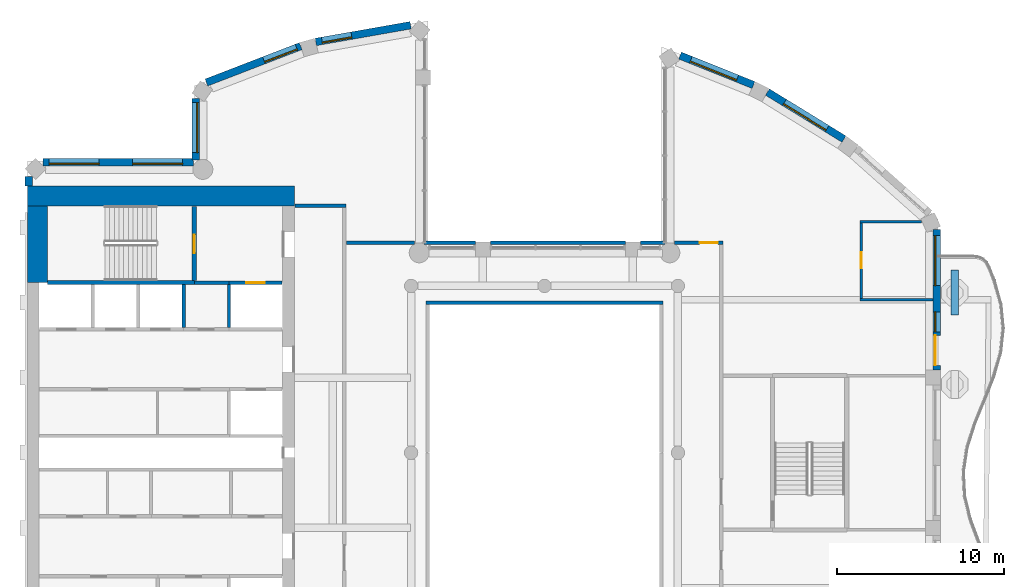
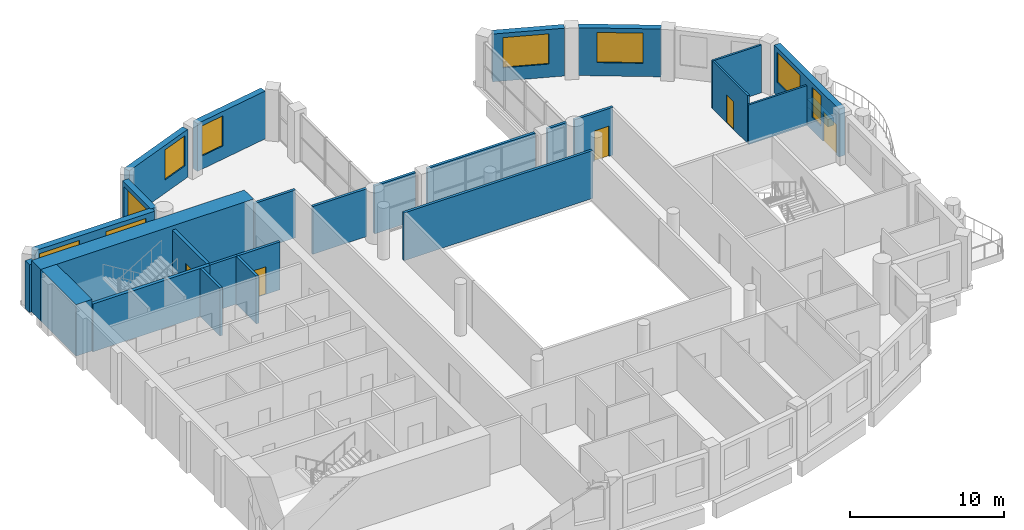
# One storey, part 7 of 15: 27 walls, 9 windows, 5 doors, 14 openings.
"""IFC4 building model written with IfcOpenShell, lengths in metres."""

from ifc_helpers import new_model, si_unit, direction, frame, frame_2d, origin, place, context, subcontext, project, spatial, rectangle, extrude, material, layer, layer_set, type_object, element, fill, save


model = new_model("IFC4")

# Units and contexts
model_context = context("Model", 3, precision=1e-05, world=origin(), true_north=direction((0.0, 1.0)))
body_context = subcontext(model_context, "Body", "Model", "MODEL_VIEW")
ifc_project = project(units=[si_unit("LENGTHUNIT", "METRE"), si_unit("AREAUNIT", "SQUARE_METRE"), si_unit("VOLUMEUNIT", "CUBIC_METRE"), si_unit("PLANEANGLEUNIT", "RADIAN"), si_unit("MASSUNIT", "GRAM", prefix="KILO")], contexts=[model_context])

# Site, building, storey
site_placement = place(None, origin())
site = spatial("IfcSite", under=ifc_project, at=site_placement, CompositionType="ELEMENT")
building_placement = place(site_placement, origin())
building = spatial("IfcBuilding", under=site, at=building_placement, Name="Cypress Arch Tower", CompositionType="ELEMENT")
storey_placement = place(building_placement, frame((0.0, 0.0, 321.300048828125)))
storey = spatial("IfcBuildingStorey", under=building, at=storey_placement, Name="L73", CompositionType="ELEMENT", Elevation=321.300048828125)

# Wall
ifc_material_1 = material(Name="Concrete C40/50, waterproofed", Category="concrete")
ifc_layer_1 = layer(ifc_material_1, 0.449951171875)
ifc_layer_set_1 = layer_set([ifc_layer_1], Name="Balcony planter wall PW450")
wall_type_1 = type_object("IfcWallType", Name="Balcony planter wall PW450", PredefinedType="SOLIDWALL", material=ifc_layer_set_1)
wall_1_placement = place(storey_placement, frame((25.60009765625, 8.25, 0.0), z_axis=(0.0, 0.0, 1.0), x_axis=(0.0, 1.0, 0.0)))
element("IfcWall", 1, at=wall_1_placement, inside=storey, type_object=wall_type_1, Name="Balcony planter wall L73-C17.3", PredefinedType="SOLIDWALL", context=body_context, shape_type="SweptSolid", body=[
    extrude(rectangle(XDim=2.699951171875, YDim=0.449951171875, at=frame_2d((1.35009765625, 0.0))), origin(), (0.0, 0.0, 1.0), 0.599853515625),
])

# Wall, opening, window
ifc_material_2 = material(Name="Brick (red buff blend)", Category="masonry")
ifc_layer_2 = layer(ifc_material_2, 0.449951171875)
ifc_layer_set_2 = layer_set([ifc_layer_2], Name="Brick pier and spandrel wall BW450")
wall_type_2 = type_object("IfcWallType", Name="Brick pier and spandrel wall BW450", PredefinedType="SOLIDWALL", material=ifc_layer_set_2)
wall_2_placement = place(storey_placement, frame((-7.028564453125, 25.63232421875, 0.0), z_axis=(0.0, 0.0, 1.0), x_axis=(-0.984797606634, -0.173705710808, 0.0)))
wall_2 = element("IfcWall", 2, at=wall_2_placement, inside=storey, type_object=wall_type_2, Name="Brick wall L73 C03.0", PredefinedType="SOLIDWALL", context=body_context, shape_type="SweptSolid", body=[
    extrude(rectangle(XDim=5.772216796875, YDim=0.449951171875, at=frame_2d((2.88623046875, 0.0))), origin(), (0.0, 0.0, 1.0), 3.800048828125),
])
opening_1_placement = place(wall_2_placement, frame((3.59326171875, 0.0, 1.050048828125)))
opening_1 = element("IfcOpeningElement", 3, at=opening_1_placement, cuts=wall_2, Name="Opening W180O", PredefinedType="OPENING", context=body_context, shape_type="SweptSolid", body=[
    extrude(rectangle(XDim=1.800048828125, YDim=2.39990234375, at=frame_2d((0.89990234375, 1.199951171875))), frame((0.0, 0.23486328125, 0.0), z_axis=(0.0, -1.0, 0.0), x_axis=(1.0, 0.0, 0.0)), (0.0, 0.0, 1.0), 0.469970703125),
])
ifc_material_3 = material(Name="Anodised aluminium, bronze finish, clear low-emissivity double glazing", Category="aluminium")
window_type_1 = type_object("IfcWindowType", Name="Window Office 1800x2400", PartitioningType="SINGLE_PANEL", PredefinedType="WINDOW", material=ifc_material_3)
window_1_placement = place(opening_1_placement, origin())
window_1 = element("IfcWindow", 4, at=window_1_placement, inside=storey, type_object=window_type_1, Name="Window L73 C03.0.2", OverallHeight=2.39990234375, OverallWidth=1.800048828125, PartitioningType="SINGLE_PANEL", PredefinedType="WINDOW", context=body_context, shape_type="SweptSolid", body=[
    extrude(rectangle(XDim=1.800048828125, YDim=2.39990234375, at=frame_2d((0.89990234375, 1.199951171875))), frame((0.0, 0.135009765625, 0.0), z_axis=(0.0, -1.0, 0.0), x_axis=(1.0, 0.0, 0.0)), (0.0, 0.0, 1.0), 0.06005859375),
])
fill(opening_1, window_1)

wall_3_placement = place(storey_placement, frame((-13.6220703125, 24.376953125, 0.0), z_axis=(0.0, 0.0, 1.0), x_axis=(-0.933129259679, -0.359541075164, 0.0)))
wall_3 = element("IfcWall", 5, at=wall_3_placement, inside=storey, type_object=wall_type_2, Name="Brick wall L73 C04.0", PredefinedType="SOLIDWALL", context=body_context, shape_type="SweptSolid", body=[
    extrude(rectangle(XDim=6.05419921875, YDim=0.449951171875, at=frame_2d((3.027099609375, 0.0))), origin(), (0.0, 0.0, 1.0), 3.800048828125),
])
opening_2_placement = place(wall_3_placement, frame((0.260986328125, 0.0, 1.050048828125)))
opening_2 = element("IfcOpeningElement", 6, at=opening_2_placement, cuts=wall_3, Name="Opening W210O", PredefinedType="OPENING", context=body_context, shape_type="SweptSolid", body=[
    extrude(rectangle(XDim=2.10009765625, YDim=2.39990234375, at=frame_2d((1.050048828125, 1.199951171875))), frame((0.0, 0.23486328125, 0.0), z_axis=(0.0, -1.0, 0.0), x_axis=(1.0, 0.0, 0.0)), (0.0, 0.0, 1.0), 0.469970703125),
])
ifc_material_4 = material(Name="Anodised aluminium, bronze finish, clear low-emissivity double glazing", Category="aluminium")
window_type_2 = type_object("IfcWindowType", Name="Window Office 2100x2400", PartitioningType="SINGLE_PANEL", PredefinedType="WINDOW", material=ifc_material_4)
window_2_placement = place(opening_2_placement, origin())
window_2 = element("IfcWindow", 7, at=window_2_placement, inside=storey, type_object=window_type_2, Name="Window L73 C04.0.1", OverallHeight=2.39990234375, OverallWidth=2.10009765625, PartitioningType="SINGLE_PANEL", PredefinedType="WINDOW", context=body_context, shape_type="SweptSolid", body=[
    extrude(rectangle(XDim=2.10009765625, YDim=2.39990234375, at=frame_2d((1.050048828125, 1.199951171875))), frame((0.0, 0.135009765625, 0.0), z_axis=(0.0, -1.0, 0.0), x_axis=(1.0, 0.0, 0.0)), (0.0, 0.0, 1.0), 0.06005859375),
])
fill(opening_2, window_2)

wall_4_placement = place(storey_placement, frame((-19.925048828125, 21.248291015625, 0.0), z_axis=(0.0, 0.0, 1.0), x_axis=(0.0, -1.0, 0.0)))
wall_4 = element("IfcWall", 8, at=wall_4_placement, inside=storey, type_object=wall_type_2, Name="Brick wall L73 C05.0", PredefinedType="SOLIDWALL", context=body_context, shape_type="SweptSolid", body=[
    extrude(rectangle(XDim=3.699951171875, YDim=0.449951171875, at=frame_2d((1.85009765625, 0.0))), origin(), (0.0, 0.0, 1.0), 3.800048828125),
])
opening_3_placement = place(wall_4_placement, frame((0.251220703125, 0.0, 1.050048828125)))
opening_3 = element("IfcOpeningElement", 9, at=opening_3_placement, cuts=wall_4, Name="Opening W300O", PredefinedType="OPENING", context=body_context, shape_type="SweptSolid", body=[
    extrude(rectangle(XDim=3.0, YDim=2.39990234375, at=frame_2d((1.5, 1.199951171875))), frame((0.0, 0.23486328125, 0.0), z_axis=(0.0, -1.0, 0.0), x_axis=(1.0, 0.0, 0.0)), (0.0, 0.0, 1.0), 0.469970703125),
])
ifc_material_5 = material(Name="Anodised aluminium, bronze finish, clear low-emissivity double glazing", Category="aluminium")
window_type_3 = type_object("IfcWindowType", Name="Window Office 3000x2400", PartitioningType="SINGLE_PANEL", PredefinedType="WINDOW", material=ifc_material_5)
window_3_placement = place(opening_3_placement, origin())
window_3 = element("IfcWindow", 10, at=window_3_placement, inside=storey, type_object=window_type_3, Name="Window L73 C05.0.1", OverallHeight=2.39990234375, OverallWidth=3.0, PartitioningType="SINGLE_PANEL", PredefinedType="WINDOW", context=body_context, shape_type="SweptSolid", body=[
    extrude(rectangle(XDim=3.0, YDim=2.39990234375, at=frame_2d((1.5, 1.199951171875))), frame((0.0, 0.135009765625, 0.0), z_axis=(0.0, -1.0, 0.0), x_axis=(1.0, 0.0, 0.0)), (0.0, 0.0, 1.0), 0.06005859375),
])
fill(opening_3, window_3)

# Wall, openings, windows
wall_5_placement = place(storey_placement, frame((-20.04833984375, 17.425048828125, 0.0), z_axis=(0.0, 0.0, 1.0), x_axis=(-1.0, 0.0, 0.0)))
wall_5 = element("IfcWall", 11, at=wall_5_placement, inside=storey, type_object=wall_type_2, Name="Brick wall L73 C06.0", PredefinedType="SOLIDWALL", context=body_context, shape_type="SweptSolid", body=[
    extrude(rectangle(XDim=9.015380859375, YDim=0.449951171875, at=frame_2d((4.5078125, 0.0))), origin(), (0.0, 0.0, 1.0), 3.800048828125),
])
opening_4_placement = place(wall_5_placement, frame((0.651611328125, 0.0, 1.050048828125)))
opening_4 = element("IfcOpeningElement", 12, at=opening_4_placement, cuts=wall_5, Name="Opening W300O", PredefinedType="OPENING", context=body_context, shape_type="SweptSolid", body=[
    extrude(rectangle(XDim=3.0, YDim=2.39990234375, at=frame_2d((1.5, 1.199951171875))), frame((0.0, 0.23486328125, 0.0), z_axis=(0.0, -1.0, 0.0), x_axis=(1.0, 0.0, 0.0)), (0.0, 0.0, 1.0), 0.469970703125),
])
opening_5_placement = place(wall_5_placement, frame((5.651611328125, 0.0, 1.050048828125)))
opening_5 = element("IfcOpeningElement", 13, at=opening_5_placement, cuts=wall_5, Name="Opening W300O", PredefinedType="OPENING", context=body_context, shape_type="SweptSolid", body=[
    extrude(rectangle(XDim=3.0, YDim=2.39990234375, at=frame_2d((1.5, 1.199951171875))), frame((0.0, 0.23486328125, 0.0), z_axis=(0.0, -1.0, 0.0), x_axis=(1.0, 0.0, 0.0)), (0.0, 0.0, 1.0), 0.469970703125),
])
window_4_placement = place(opening_4_placement, origin())
window_4 = element("IfcWindow", 14, at=window_4_placement, inside=storey, type_object=window_type_3, Name="Window L73 C06.0.1", OverallHeight=2.39990234375, OverallWidth=3.0, PartitioningType="SINGLE_PANEL", PredefinedType="WINDOW", context=body_context, shape_type="SweptSolid", body=[
    extrude(rectangle(XDim=3.0, YDim=2.39990234375, at=frame_2d((1.5, 1.199951171875))), frame((0.0, 0.135009765625, 0.0), z_axis=(0.0, -1.0, 0.0), x_axis=(1.0, 0.0, 0.0)), (0.0, 0.0, 1.0), 0.06005859375),
])
fill(opening_4, window_4)
window_5_placement = place(opening_5_placement, origin())
window_5 = element("IfcWindow", 15, at=window_5_placement, inside=storey, type_object=window_type_3, Name="Window L73 C06.0.2", OverallHeight=2.39990234375, OverallWidth=3.0, PartitioningType="SINGLE_PANEL", PredefinedType="WINDOW", context=body_context, shape_type="SweptSolid", body=[
    extrude(rectangle(XDim=3.0, YDim=2.39990234375, at=frame_2d((1.5, 1.199951171875))), frame((0.0, 0.135009765625, 0.0), z_axis=(0.0, -1.0, 0.0), x_axis=(1.0, 0.0, 0.0)), (0.0, 0.0, 1.0), 0.06005859375),
])
fill(opening_5, window_5)

# Wall
wall_6_placement = place(storey_placement, frame((-29.925048828125, 16.563720703125, 0.0), z_axis=(0.0, 0.0, 1.0), x_axis=(0.0, -1.0, 0.0)))
element("IfcWall", 16, at=wall_6_placement, inside=storey, type_object=wall_type_2, Name="Brick wall L73 C07.0", PredefinedType="SOLIDWALL", context=body_context, shape_type="SweptSolid", body=[
    extrude(rectangle(XDim=0.563720703125, YDim=0.449951171875, at=frame_2d((0.28173828125, 0.0))), origin(), (0.0, 0.0, 1.0), 3.800048828125),
])

# Wall, openings, door, windows
wall_7_placement = place(storey_placement, frame((24.52490234375, 4.949951171875, 0.0), z_axis=(0.0, 0.0, 1.0), x_axis=(0.0, 1.0, 0.0)))
wall_7 = element("IfcWall", 17, at=wall_7_placement, inside=storey, type_object=wall_type_2, Name="Brick wall L73 C17.2", PredefinedType="SOLIDWALL", context=body_context, shape_type="SweptSolid", body=[
    extrude(rectangle(XDim=8.421875, YDim=0.449951171875, at=frame_2d((4.2109375, 0.0))), origin(), (0.0, 0.0, 1.0), 3.800048828125),
])
opening_6_placement = place(wall_7_placement, frame((0.291259765625, 0.0, 0.0)))
opening_6 = element("IfcOpeningElement", 18, at=opening_6_placement, cuts=wall_7, Name="Opening D-L73-C17.2.1", PredefinedType="OPENING", context=body_context, shape_type="SweptSolid", body=[
    extrude(rectangle(XDim=1.800048828125, YDim=2.39990234375, at=frame_2d((0.89990234375, 1.199951171875))), frame((0.0, 0.23486328125, 0.0), z_axis=(0.0, -1.0, 0.0), x_axis=(1.0, 0.0, 0.0)), (0.0, 0.0, 1.0), 0.469970703125),
])
opening_7_placement = place(wall_7_placement, frame((2.291259765625, 0.0, 1.050048828125)))
opening_7 = element("IfcOpeningElement", 19, at=opening_7_placement, cuts=wall_7, Name="Opening W120OD", PredefinedType="OPENING", context=body_context, shape_type="SweptSolid", body=[
    extrude(rectangle(XDim=1.199951171875, YDim=2.39990234375, at=frame_2d((0.60009765625, 1.199951171875))), frame((0.0, 0.23486328125, 0.0), z_axis=(0.0, -1.0, 0.0), x_axis=(1.0, 0.0, 0.0)), (0.0, 0.0, 1.0), 0.469970703125),
])
opening_8_placement = place(wall_7_placement, frame((5.073974609375, 0.0, 1.050048828125)))
opening_8 = element("IfcOpeningElement", 20, at=opening_8_placement, cuts=wall_7, Name="Opening W300OD", PredefinedType="OPENING", context=body_context, shape_type="SweptSolid", body=[
    extrude(rectangle(XDim=3.0, YDim=2.39990234375, at=frame_2d((1.5, 1.199951171875))), frame((0.0, 0.23486328125, 0.0), z_axis=(0.0, -1.0, 0.0), x_axis=(1.0, 0.0, 0.0)), (0.0, 0.0, 1.0), 0.469970703125),
])
ifc_material_6 = material(Name="Anodised aluminium, bronze finish, laminated low-emissivity double glazing, large-missile impact rated", Category="aluminium")
door_type_1 = type_object("IfcDoorType", Name="Balcony sliding door 1800x2400", OperationType="SLIDING_TO_LEFT", PredefinedType="DOOR", material=ifc_material_6)
door_1_placement = place(opening_6_placement, origin())
door_1 = element("IfcDoor", 21, at=door_1_placement, inside=storey, type_object=door_type_1, Name="Balcony door L73 C17.2.1", OperationType="SLIDING_TO_LEFT", OverallHeight=2.39990234375, OverallWidth=1.800048828125, PredefinedType="DOOR", context=body_context, shape_type="SweptSolid", body=[
    extrude(rectangle(XDim=1.800048828125, YDim=2.39990234375, at=frame_2d((0.89990234375, 1.199951171875))), frame((0.0, 0.1298828125, 0.0), z_axis=(0.0, -1.0, 0.0), x_axis=(1.0, 0.0, 0.0)), (0.0, 0.0, 1.0), 0.050048828125),
])
fill(opening_6, door_1)
ifc_material_7 = material(Name="Anodised aluminium, bronze finish, laminated low-emissivity double glazing, large-missile impact rated", Category="aluminium")
window_type_4 = type_object("IfcWindowType", Name="Window Office 1200x2400 debris-rated", PartitioningType="SINGLE_PANEL", PredefinedType="WINDOW", material=ifc_material_7)
window_6_placement = place(opening_7_placement, origin())
window_6 = element("IfcWindow", 22, at=window_6_placement, inside=storey, type_object=window_type_4, Name="Window L73 C17.2.1", OverallHeight=2.39990234375, OverallWidth=1.199951171875, PartitioningType="SINGLE_PANEL", PredefinedType="WINDOW", context=body_context, shape_type="SweptSolid", body=[
    extrude(rectangle(XDim=1.199951171875, YDim=2.39990234375, at=frame_2d((0.60009765625, 1.199951171875))), frame((0.0, 0.135009765625, 0.0), z_axis=(0.0, -1.0, 0.0), x_axis=(1.0, 0.0, 0.0)), (0.0, 0.0, 1.0), 0.06005859375),
])
fill(opening_7, window_6)
ifc_material_8 = material(Name="Anodised aluminium, bronze finish, laminated low-emissivity double glazing, large-missile impact rated", Category="aluminium")
window_type_5 = type_object("IfcWindowType", Name="Window Office 3000x2400 debris-rated", PartitioningType="SINGLE_PANEL", PredefinedType="WINDOW", material=ifc_material_8)
window_7_placement = place(opening_8_placement, origin())
window_7 = element("IfcWindow", 23, at=window_7_placement, inside=storey, type_object=window_type_5, Name="Window L73 C17.2.2", OverallHeight=2.39990234375, OverallWidth=3.0, PartitioningType="SINGLE_PANEL", PredefinedType="WINDOW", context=body_context, shape_type="SweptSolid", body=[
    extrude(rectangle(XDim=3.0, YDim=2.39990234375, at=frame_2d((1.5, 1.199951171875))), frame((0.0, 0.135009765625, 0.0), z_axis=(0.0, -1.0, 0.0), x_axis=(1.0, 0.0, 0.0)), (0.0, 0.0, 1.0), 0.06005859375),
])
fill(opening_8, window_7)

# Wall, opening, window
wall_8_placement = place(storey_placement, frame((18.953369140625, 18.806396484375, 0.0), z_axis=(0.0, 0.0, 1.0), x_axis=(-0.851860664503, 0.523768468193, 0.0)))
wall_8 = element("IfcWall", 24, at=wall_8_placement, inside=storey, type_object=wall_type_2, Name="Brick wall L73 C19.0", PredefinedType="SOLIDWALL", context=body_context, shape_type="SweptSolid", body=[
    extrude(rectangle(XDim=5.3837890625, YDim=0.449951171875, at=frame_2d((2.69189453125, 0.0))), origin(), (0.0, 0.0, 1.0), 3.800048828125),
])
opening_9_placement = place(wall_8_placement, frame((1.19189453125, 0.0, 1.050048828125)))
opening_9 = element("IfcOpeningElement", 25, at=opening_9_placement, cuts=wall_8, Name="Opening W300O", PredefinedType="OPENING", context=body_context, shape_type="SweptSolid", body=[
    extrude(rectangle(XDim=3.0, YDim=2.39990234375, at=frame_2d((1.5, 1.199951171875))), frame((0.0, 0.23486328125, 0.0), z_axis=(0.0, -1.0, 0.0), x_axis=(1.0, 0.0, 0.0)), (0.0, 0.0, 1.0), 0.469970703125),
])
window_8_placement = place(opening_9_placement, origin())
window_8 = element("IfcWindow", 26, at=window_8_placement, inside=storey, type_object=window_type_3, Name="Window L73 C19.0.1", OverallHeight=2.39990234375, OverallWidth=3.0, PartitioningType="SINGLE_PANEL", PredefinedType="WINDOW", context=body_context, shape_type="SweptSolid", body=[
    extrude(rectangle(XDim=3.0, YDim=2.39990234375, at=frame_2d((1.5, 1.199951171875))), frame((0.0, 0.135009765625, 0.0), z_axis=(0.0, -1.0, 0.0), x_axis=(1.0, 0.0, 0.0)), (0.0, 0.0, 1.0), 0.06005859375),
])
fill(opening_9, window_8)

wall_9_placement = place(storey_placement, frame((13.529296875, 22.04833984375, 0.0), z_axis=(0.0, 0.0, 1.0), x_axis=(-0.927957332619, 0.372686448424, 0.0)))
wall_9 = element("IfcWall", 27, at=wall_9_placement, inside=storey, type_object=wall_type_2, Name="Brick wall L73 C20.0", PredefinedType="SOLIDWALL", context=body_context, shape_type="SweptSolid", body=[
    extrude(rectangle(XDim=4.741455078125, YDim=0.449951171875, at=frame_2d((2.37060546875, 0.0))), origin(), (0.0, 0.0, 1.0), 3.800048828125),
])
opening_10_placement = place(wall_9_placement, frame((1.046630859375, 0.0, 1.050048828125)))
opening_10 = element("IfcOpeningElement", 28, at=opening_10_placement, cuts=wall_9, Name="Opening W300O", PredefinedType="OPENING", context=body_context, shape_type="SweptSolid", body=[
    extrude(rectangle(XDim=3.0, YDim=2.39990234375, at=frame_2d((1.5, 1.199951171875))), frame((0.0, 0.23486328125, 0.0), z_axis=(0.0, -1.0, 0.0), x_axis=(1.0, 0.0, 0.0)), (0.0, 0.0, 1.0), 0.469970703125),
])
window_9_placement = place(opening_10_placement, origin())
window_9 = element("IfcWindow", 29, at=window_9_placement, inside=storey, type_object=window_type_3, Name="Window L73 C20.0.1", OverallHeight=2.39990234375, OverallWidth=3.0, PartitioningType="SINGLE_PANEL", PredefinedType="WINDOW", context=body_context, shape_type="SweptSolid", body=[
    extrude(rectangle(XDim=3.0, YDim=2.39990234375, at=frame_2d((1.5, 1.199951171875))), frame((0.0, 0.135009765625, 0.0), z_axis=(0.0, -1.0, 0.0), x_axis=(1.0, 0.0, 0.0)), (0.0, 0.0, 1.0), 0.06005859375),
])
fill(opening_10, window_9)

# Walls
ifc_material_9 = material(Name="Concrete C60/75", Category="concrete")
ifc_layer_3 = layer(ifc_material_9, 1.199951171875)
ifc_layer_set_3 = layer_set([ifc_layer_3], Name="Core wall CW1200 C60/75")
wall_type_3 = type_object("IfcWallType", Name="Core wall CW1200 C60/75", PredefinedType="SHEAR", material=ifc_layer_set_3)
wall_10_placement = place(storey_placement, frame((-30.0, 15.39990234375, 0.0), z_axis=(0.0, 0.0, 1.0), x_axis=(1.0, 0.0, 0.0)))
element("IfcWall", 30, at=wall_10_placement, inside=storey, type_object=wall_type_3, Name="Core wall", PredefinedType="SHEAR", context=body_context, shape_type="SweptSolid", body=[
    extrude(rectangle(XDim=16.0, YDim=1.199951171875, at=frame_2d((8.0, 0.0))), origin(), (0.0, 0.0, 1.0), 4.099853515625),
])
wall_11_placement = place(storey_placement, frame((-29.39990234375, 10.199951171875, 0.0), z_axis=(0.0, 0.0, 1.0), x_axis=(0.0, 1.0, 0.0)))
element("IfcWall", 31, at=wall_11_placement, inside=storey, type_object=wall_type_3, Name="Core wall", PredefinedType="SHEAR", context=body_context, shape_type="SweptSolid", body=[
    extrude(rectangle(XDim=4.60009765625, YDim=1.199951171875, at=frame_2d((2.300048828125, 0.0))), origin(), (0.0, 0.0, 1.0), 4.099853515625),
])
ifc_material_10 = material(Name="Concrete blockwork, plastered, rated", Category="masonry")
ifc_layer_4 = layer(ifc_material_10, 0.199951171875)
ifc_layer_set_4 = layer_set([ifc_layer_4], Name="Corridor wall FW200")
wall_type_4 = type_object("IfcWallType", Name="Corridor wall FW200", PredefinedType="PARTITIONING", material=ifc_layer_set_4)
wall_12_placement = place(storey_placement, frame((-20.0, 10.199951171875, 0.0), z_axis=(0.0, 0.0, 1.0), x_axis=(1.0, 0.0, 0.0)))
element("IfcWall", 32, at=wall_12_placement, inside=storey, type_object=wall_type_4, Name="Corridor wall", PredefinedType="PARTITIONING", context=body_context, shape_type="SweptSolid", body=[
    extrude(rectangle(XDim=2.080078125, YDim=0.199951171875, at=frame_2d((1.0400390625, 0.0))), origin(), (0.0, 0.0, 1.0), 3.800048828125),
])
wall_13_placement = place(storey_placement, frame((-13.969970703125, 14.800048828125, 0.0), z_axis=(0.0, 0.0, 1.0), x_axis=(1.0, 0.0, 0.0)))
element("IfcWall", 33, at=wall_13_placement, inside=storey, type_object=wall_type_4, Name="Corridor wall", PredefinedType="PARTITIONING", context=body_context, shape_type="SweptSolid", body=[
    extrude(rectangle(XDim=3.070068359375, YDim=0.199951171875, at=frame_2d((1.53515625, 0.0))), origin(), (0.0, 0.0, 1.0), 3.800048828125),
])
wall_14_placement = place(storey_placement, frame((-10.8798828125, 12.60009765625, 0.0), z_axis=(0.0, 0.0, 1.0), x_axis=(1.0, 0.0, 0.0)))
element("IfcWall", 34, at=wall_14_placement, inside=storey, type_object=wall_type_4, Name="Corridor wall", PredefinedType="PARTITIONING", context=body_context, shape_type="SweptSolid", body=[
    extrude(rectangle(XDim=4.079833984375, YDim=0.199951171875, at=frame_2d((2.0400390625, 0.0))), origin(), (0.0, 0.0, 1.0), 3.800048828125),
])
wall_15_placement = place(storey_placement, frame((-6.22998046875, 12.60009765625, 0.0), z_axis=(0.0, 0.0, 1.0), x_axis=(1.0, 0.0, 0.0)))
element("IfcWall", 35, at=wall_15_placement, inside=storey, type_object=wall_type_4, Name="Corridor wall", PredefinedType="PARTITIONING", context=body_context, shape_type="SweptSolid", body=[
    extrude(rectangle(XDim=3.080078125, YDim=0.199951171875, at=frame_2d((1.5400390625, 0.0))), origin(), (0.0, 0.0, 1.0), 3.800048828125),
])
wall_16_placement = place(storey_placement, frame((-2.25, 12.60009765625, 0.0), z_axis=(0.0, 0.0, 1.0), x_axis=(1.0, 0.0, 0.0)))
element("IfcWall", 36, at=wall_16_placement, inside=storey, type_object=wall_type_4, Name="Corridor wall", PredefinedType="PARTITIONING", context=body_context, shape_type="SweptSolid", body=[
    extrude(rectangle(XDim=8.10009765625, YDim=0.199951171875, at=frame_2d((4.050048828125, 0.0))), origin(), (0.0, 0.0, 1.0), 3.800048828125),
])
wall_17_placement = place(storey_placement, frame((6.75, 12.60009765625, 0.0), z_axis=(0.0, 0.0, 1.0), x_axis=(1.0, 0.0, 0.0)))
element("IfcWall", 37, at=wall_17_placement, inside=storey, type_object=wall_type_4, Name="Corridor wall", PredefinedType="PARTITIONING", context=body_context, shape_type="SweptSolid", body=[
    extrude(rectangle(XDim=1.47998046875, YDim=0.199951171875, at=frame_2d((0.739990234375, 0.0))), origin(), (0.0, 0.0, 1.0), 3.800048828125),
])
wall_18_placement = place(storey_placement, frame((-6.10009765625, 9.0, 0.0), z_axis=(0.0, 0.0, 1.0), x_axis=(1.0, 0.0, 0.0)))
element("IfcWall", 38, at=wall_18_placement, inside=storey, type_object=wall_type_4, Name="Corridor wall", PredefinedType="PARTITIONING", context=body_context, shape_type="SweptSolid", body=[
    extrude(rectangle(XDim=14.2001953125, YDim=0.199951171875, at=frame_2d((7.10009765625, 0.0))), origin(), (0.0, 0.0, 1.0), 3.800048828125),
])

# Wall, opening, door
wall_19_placement = place(storey_placement, frame((8.800048828125, 12.60009765625, 0.0), z_axis=(0.0, 0.0, 1.0), x_axis=(1.0, 0.0, 0.0)))
wall_19 = element("IfcWall", 39, at=wall_19_placement, inside=storey, type_object=wall_type_4, Name="Corridor wall", PredefinedType="PARTITIONING", context=body_context, shape_type="SweptSolid", body=[
    extrude(rectangle(XDim=2.89990234375, YDim=0.199951171875, at=frame_2d((1.449951171875, 0.0))), origin(), (0.0, 0.0, 1.0), 3.800048828125),
])
opening_11_placement = place(wall_19_placement, frame((1.5, 0.0, 0.0)))
opening_11 = element("IfcOpeningElement", 40, at=opening_11_placement, cuts=wall_19, Name="Opening D01", PredefinedType="OPENING", context=body_context, shape_type="SweptSolid", body=[
    extrude(rectangle(XDim=1.10009765625, YDim=2.39990234375, at=frame_2d((0.550048828125, 1.199951171875))), frame((0.0, 0.10986328125, 0.0), z_axis=(0.0, -1.0, 0.0), x_axis=(1.0, 0.0, 0.0)), (0.0, 0.0, 1.0), 0.219970703125),
])
ifc_material_11 = material(Name="Timber flush door, fire resisting, self-closing", Category="wood")
door_type_2 = type_object("IfcDoorType", Name="Unit entrance door D01 1100x2400", OperationType="SINGLE_SWING_LEFT", PredefinedType="DOOR", material=ifc_material_11)
door_2_placement = place(opening_11_placement, origin())
door_2 = element("IfcDoor", 41, at=door_2_placement, inside=storey, type_object=door_type_2, Name="Unit entrance door", OperationType="SINGLE_SWING_RIGHT", OverallHeight=2.39990234375, OverallWidth=1.10009765625, PredefinedType="DOOR", context=body_context, shape_type="SweptSolid", body=[
    extrude(rectangle(XDim=1.10009765625, YDim=2.39990234375, at=frame_2d((0.550048828125, 1.199951171875))), frame((0.0, 0.02490234375, 0.0), z_axis=(0.0, -1.0, 0.0), x_axis=(1.0, 0.0, 0.0)), (0.0, 0.0, 1.0), 0.050048828125),
])
fill(opening_11, door_2)

ifc_material_12 = material(Name="Blockwork, plastered both sides", Category="masonry")
ifc_layer_5 = layer(ifc_material_12, 0.14990234375)
ifc_layer_set_5 = layer_set([ifc_layer_5], Name="Partition PW150")
wall_type_5 = type_object("IfcWallType", Name="Partition PW150", PredefinedType="PARTITIONING", material=ifc_layer_set_5)
wall_20_placement = place(storey_placement, frame((20.0, 9.258056640625, 0.0), z_axis=(0.0, 0.0, 1.0), x_axis=(0.0, 1.0, 0.0)))
wall_20 = element("IfcWall", 42, at=wall_20_placement, inside=storey, type_object=wall_type_5, Name="Partition", PredefinedType="PARTITIONING", context=body_context, shape_type="SweptSolid", body=[
    extrude(rectangle(XDim=4.531982421875, YDim=0.14990234375, at=frame_2d((2.26611328125, 0.0))), origin(), (0.0, 0.0, 1.0), 3.800048828125),
])
opening_12_placement = place(wall_20_placement, frame((1.800048828125, 0.0, 0.0)))
opening_12 = element("IfcOpeningElement", 43, at=opening_12_placement, cuts=wall_20, Name="Opening D12", PredefinedType="OPENING", context=body_context, shape_type="SweptSolid", body=[
    extrude(rectangle(XDim=0.949951171875, YDim=2.199951171875, at=frame_2d((0.47509765625, 1.10009765625))), frame((0.0, 0.0849609375, 0.0), z_axis=(0.0, -1.0, 0.0), x_axis=(1.0, 0.0, 0.0)), (0.0, 0.0, 1.0), 0.169921875),
])
ifc_material_13 = material(Name="Timber flush door", Category="wood")
door_type_3 = type_object("IfcDoorType", Name="Room door D12 950x2200", OperationType="SINGLE_SWING_LEFT", PredefinedType="DOOR", material=ifc_material_13)
door_3_placement = place(opening_12_placement, origin())
door_3 = element("IfcDoor", 44, at=door_3_placement, inside=storey, type_object=door_type_3, Name="Room door", OperationType="SINGLE_SWING_RIGHT", OverallHeight=2.199951171875, OverallWidth=0.949951171875, PredefinedType="DOOR", context=body_context, shape_type="SweptSolid", body=[
    extrude(rectangle(XDim=0.949951171875, YDim=2.199951171875, at=frame_2d((0.47509765625, 1.10009765625))), frame((0.0, 0.02490234375, 0.0), z_axis=(0.0, -1.0, 0.0), x_axis=(1.0, 0.0, 0.0)), (0.0, 0.0, 1.0), 0.050048828125),
])
fill(opening_12, door_3)

# Walls
wall_21_placement = place(storey_placement, frame((19.925048828125, 9.18310546875, 0.0), z_axis=(0.0, 0.0, 1.0), x_axis=(1.0, 0.0, 0.0)))
element("IfcWall", 45, at=wall_21_placement, inside=storey, type_object=wall_type_5, Name="Partition", PredefinedType="PARTITIONING", context=body_context, shape_type="SweptSolid", body=[
    extrude(rectangle(XDim=4.375, YDim=0.14990234375, at=frame_2d((2.1875, 0.0))), origin(), (0.0, 0.0, 1.0), 3.14990234375),
])
wall_22_placement = place(storey_placement, frame((19.925048828125, 13.864990234375, 0.0), z_axis=(0.0, 0.0, 1.0), x_axis=(1.0, 0.0, 0.0)))
element("IfcWall", 46, at=wall_22_placement, inside=storey, type_object=wall_type_5, Name="Partition", PredefinedType="PARTITIONING", context=body_context, shape_type="SweptSolid", body=[
    extrude(rectangle(XDim=3.677734375, YDim=0.14990234375, at=frame_2d((1.8388671875, 0.0))), origin(), (0.0, 0.0, 1.0), 3.800048828125),
])
ifc_material_14 = material(Name="Concrete C50/60", Category="concrete")
ifc_layer_6 = layer(ifc_material_14, 0.199951171875)
ifc_layer_set_6 = layer_set([ifc_layer_6], Name="Shaft wall SH200")
wall_type_6 = type_object("IfcWallType", Name="Shaft wall SH200", PredefinedType="SHEAR", material=ifc_layer_set_6)
wall_23_placement = place(storey_placement, frame((-20.639892578125, 7.5, 0.0), z_axis=(0.0, 0.0, 1.0), x_axis=(0.0, 1.0, 0.0)))
element("IfcWall", 47, at=wall_23_placement, inside=storey, type_object=wall_type_6, Name="Shaft wall", PredefinedType="SHEAR", context=body_context, shape_type="SweptSolid", body=[
    extrude(rectangle(XDim=2.574951171875, YDim=0.199951171875, at=frame_2d((1.28759765625, 0.0))), origin(), (0.0, 0.0, 1.0), 3.800048828125),
])
wall_24_placement = place(storey_placement, frame((-17.919921875, 7.5, 0.0), z_axis=(0.0, 0.0, 1.0), x_axis=(0.0, 1.0, 0.0)))
element("IfcWall", 48, at=wall_24_placement, inside=storey, type_object=wall_type_6, Name="Shaft wall", PredefinedType="SHEAR", context=body_context, shape_type="SweptSolid", body=[
    extrude(rectangle(XDim=2.60009765625, YDim=0.199951171875, at=frame_2d((1.300048828125, 0.0))), origin(), (0.0, 0.0, 1.0), 3.800048828125),
])

# Wall, opening, door
wall_25_placement = place(storey_placement, frame((-17.919921875, 10.199951171875, 0.0), z_axis=(0.0, 0.0, 1.0), x_axis=(1.0, 0.0, 0.0)))
wall_25 = element("IfcWall", 49, at=wall_25_placement, inside=storey, type_object=wall_type_6, Name="Shaft wall", PredefinedType="SHEAR", context=body_context, shape_type="SweptSolid", body=[
    extrude(rectangle(XDim=3.18994140625, YDim=0.199951171875, at=frame_2d((1.594970703125, 0.0))), origin(), (0.0, 0.0, 1.0), 3.800048828125),
])
opening_13_placement = place(wall_25_placement, frame((1.050048828125, 0.0, 0.0)))
opening_13 = element("IfcOpeningElement", 50, at=opening_13_placement, cuts=wall_25, Name="Opening LD-FL2", PredefinedType="OPENING", context=body_context, shape_type="SweptSolid", body=[
    extrude(rectangle(XDim=1.10009765625, YDim=2.199951171875, at=frame_2d((0.550048828125, 1.10009765625))), frame((0.0, 0.10986328125, 0.0), z_axis=(0.0, -1.0, 0.0), x_axis=(1.0, 0.0, 0.0)), (0.0, 0.0, 1.0), 0.219970703125),
])
ifc_material_15 = material(Name="Stainless steel centre-opening landing door, rated", Category="steel")
door_type_4 = type_object("IfcDoorType", Name="Lift landing door LD 1100x2200", OperationType="DOUBLE_DOOR_SLIDING", PredefinedType="DOOR", material=ifc_material_15)
door_4_placement = place(opening_13_placement, origin())
door_4 = element("IfcDoor", 51, at=door_4_placement, inside=storey, type_object=door_type_4, Name="Lift landing doors FL2", OperationType="DOUBLE_DOOR_SLIDING", OverallHeight=2.199951171875, OverallWidth=1.10009765625, PredefinedType="DOOR", context=body_context, shape_type="SweptSolid", body=[
    extrude(rectangle(XDim=1.10009765625, YDim=2.199951171875, at=frame_2d((0.550048828125, 1.10009765625))), frame((0.0, 0.02490234375, 0.0), z_axis=(0.0, -1.0, 0.0), x_axis=(1.0, 0.0, 0.0)), (0.0, 0.0, 1.0), 0.050048828125),
])
fill(opening_13, door_4)

# Wall
ifc_material_16 = material(Name="Concrete C50/60", Category="concrete")
ifc_layer_7 = layer(ifc_material_16, 0.25)
ifc_layer_set_7 = layer_set([ifc_layer_7], Name="Stair enclosure wall SW250")
wall_type_7 = type_object("IfcWallType", Name="Stair enclosure wall SW250", PredefinedType="SHEAR", material=ifc_layer_set_7)
wall_26_placement = place(storey_placement, frame((-28.81005859375, 10.199951171875, 0.0), z_axis=(0.0, 0.0, 1.0), x_axis=(1.0, 0.0, 0.0)))
element("IfcWall", 52, at=wall_26_placement, inside=storey, type_object=wall_type_7, Name="Stair enclosure wall", PredefinedType="SHEAR", context=body_context, shape_type="SweptSolid", body=[
    extrude(rectangle(XDim=8.81005859375, YDim=0.25, at=frame_2d((4.405029296875, 0.0))), origin(), (0.0, 0.0, 1.0), 3.800048828125),
])

# Wall, opening, door
wall_27_placement = place(storey_placement, frame((-20.0, 10.324951171875, 0.0), z_axis=(0.0, 0.0, 1.0), x_axis=(0.0, 1.0, 0.0)))
wall_27 = element("IfcWall", 53, at=wall_27_placement, inside=storey, type_object=wall_type_7, Name="Stair enclosure wall", PredefinedType="SHEAR", context=body_context, shape_type="SweptSolid", body=[
    extrude(rectangle(XDim=4.445068359375, YDim=0.25, at=frame_2d((2.22265625, 0.0))), origin(), (0.0, 0.0, 1.0), 3.800048828125),
])
opening_14_placement = place(wall_27_placement, frame((1.64990234375, 0.0, 0.0)))
opening_14 = element("IfcOpeningElement", 54, at=opening_14_placement, cuts=wall_27, Name="Opening D06", PredefinedType="OPENING", context=body_context, shape_type="SweptSolid", body=[
    extrude(rectangle(XDim=1.10009765625, YDim=2.199951171875, at=frame_2d((0.550048828125, 1.10009765625))), frame((0.0, 0.135009765625, 0.0), z_axis=(0.0, -1.0, 0.0), x_axis=(1.0, 0.0, 0.0)), (0.0, 0.0, 1.0), 0.27001953125),
])
ifc_material_17 = material(Name="Steel door, fire resisting, panic bar", Category="steel")
door_type_5 = type_object("IfcDoorType", Name="Stair door D06 1100x2200", OperationType="SINGLE_SWING_LEFT", PredefinedType="DOOR", material=ifc_material_17)
door_5_placement = place(opening_14_placement, origin())
door_5 = element("IfcDoor", 55, at=door_5_placement, inside=storey, type_object=door_type_5, Name="Stair door", OperationType="SINGLE_SWING_LEFT", OverallHeight=2.199951171875, OverallWidth=1.10009765625, PredefinedType="DOOR", context=body_context, shape_type="SweptSolid", body=[
    extrude(rectangle(XDim=1.10009765625, YDim=2.199951171875, at=frame_2d((0.550048828125, 1.10009765625))), frame((0.0, 0.02490234375, 0.0), z_axis=(0.0, -1.0, 0.0), x_axis=(1.0, 0.0, 0.0)), (0.0, 0.0, 1.0), 0.050048828125),
])
fill(opening_14, door_5)

save(model, "model.ifc")
